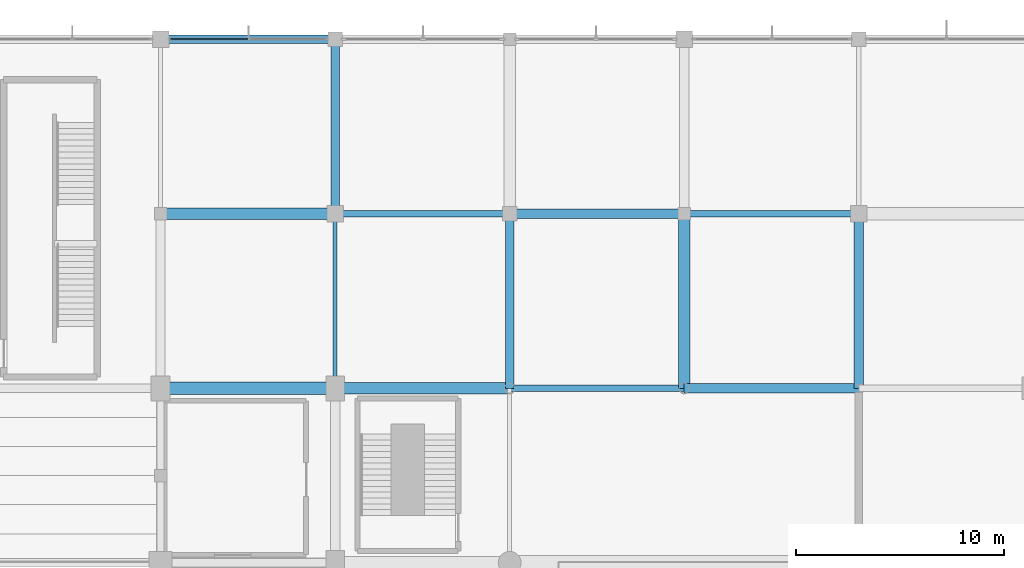
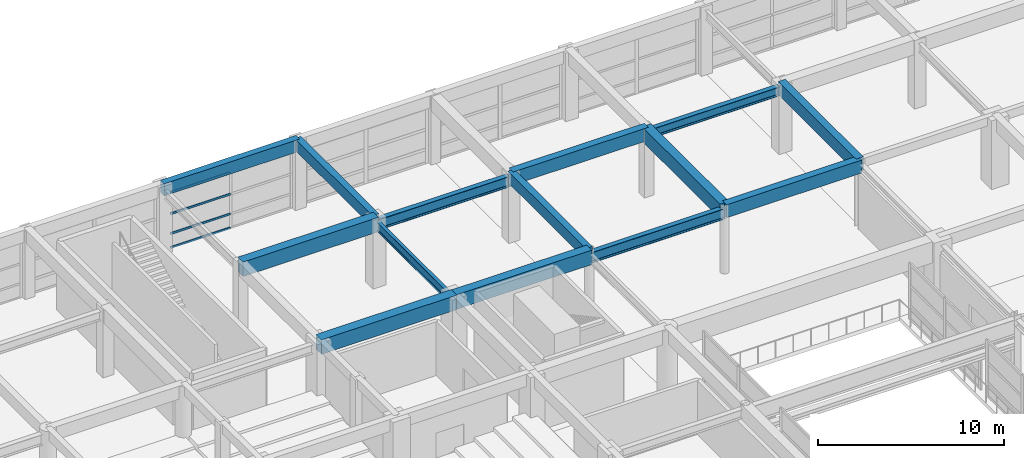
# One storey, part 31 of 62: 14 beams, 4 members, 1 element without a shape of its own.
"""IFC4 building model written with IfcOpenShell, lengths in metres."""

from ifc_helpers import new_model, si_unit, direction, frame, origin, origin_2d, place, context, subcontext, project, spatial, rectangle, i_section, extrude, material, material_profile, profile_set, type_object, element, aggregate, save


model = new_model("IFC4")

# Units and contexts
model_context = context("Model", 3, precision=1e-05, world=origin(), true_north=direction((0.0, 1.0)))
body_context = subcontext(model_context, "Body", "Model", "MODEL_VIEW")
ifc_project = project(units=[si_unit("LENGTHUNIT", "METRE"), si_unit("AREAUNIT", "SQUARE_METRE"), si_unit("VOLUMEUNIT", "CUBIC_METRE"), si_unit("PLANEANGLEUNIT", "RADIAN"), si_unit("MASSUNIT", "GRAM", prefix="KILO")], contexts=[model_context])

# Site, building, storey
site_placement = place(None, origin())
site = spatial("IfcSite", under=ifc_project, at=site_placement, CompositionType="ELEMENT")
building_placement = place(site_placement, origin())
building = spatial("IfcBuilding", under=site, at=building_placement, Name="Xuanlan Plaza Opera House", CompositionType="ELEMENT")
storey_placement = place(building_placement, frame((0.0, 0.0, 14.39990234375)))
storey = spatial("IfcBuildingStorey", under=building, at=storey_placement, Name="L03", CompositionType="ELEMENT", Elevation=14.39990234375)

# Curtain wall, members
ifc_material_1 = material(Name="Anodised Aluminium 6063-T6 and Low-E Glass", Category="aluminium")
curtain_wall_type = type_object("IfcCurtainWallType", Name="ENV-CW-CW-05", PredefinedType="USERDEFINED", material=ifc_material_1)
curtain_wall_placement = place(storey_placement, origin())
curtain_wall = element("IfcCurtainWall", 1, at=curtain_wall_placement, inside=storey, type_object=curtain_wall_type, Name="Acoustic Glazed Wall L03-036", ObjectType="ACOUSTIC GLAZED WALL", PredefinedType="USERDEFINED")
ifc_material_2 = material(Name="Anodised Aluminium 6063-T6", Category="aluminium")
ifc_material_profile_1 = material_profile(ifc_material_2, rectangle(XDim=0.070068359375, YDim=0.135009765625, at=origin_2d()), Name="ALU-T 70x135")
ifc_profile_set_1 = profile_set([ifc_material_profile_1], Name="Anodised Aluminium 6063-T6")
member_type = type_object("IfcMemberType", Name="ENV-CWT-02", PredefinedType="USERDEFINED", material=ifc_profile_set_1)
member_1_placement = place(storey_placement, frame((96.592529296875, 100.800048828125, 0.03515625), z_axis=(-1.0, 0.0, 0.0), x_axis=(0.0, -1.0, 0.0)))
member_1 = element("IfcMember", 2, at=member_1_placement, type_object=member_type, Name="CW-05 transom 2.1", ObjectType="TRANSOM", PredefinedType="USERDEFINED", context=body_context, shape_type="SweptSolid", body=[
    extrude(rectangle(XDim=0.070068359375, YDim=0.135009765625, at=origin_2d()), origin(), (0.0, 0.0, 1.0), 3.70751953125),
])
member_2_placement = place(storey_placement, frame((96.592529296875, 100.800048828125, 0.9501953125), z_axis=(-1.0, 0.0, 0.0), x_axis=(0.0, -1.0, 0.0)))
member_2 = element("IfcMember", 3, at=member_2_placement, type_object=member_type, Name="CW-05 transom 2.2", ObjectType="TRANSOM", PredefinedType="USERDEFINED", context=body_context, shape_type="SweptSolid", body=[
    extrude(rectangle(XDim=0.070068359375, YDim=0.135009765625, at=origin_2d()), origin(), (0.0, 0.0, 1.0), 3.70751953125),
])
member_3_placement = place(storey_placement, frame((96.592529296875, 100.800048828125, 2.25), z_axis=(-1.0, 0.0, 0.0), x_axis=(0.0, -1.0, 0.0)))
member_3 = element("IfcMember", 4, at=member_3_placement, type_object=member_type, Name="CW-05 transom 2.3", ObjectType="TRANSOM", PredefinedType="USERDEFINED", context=body_context, shape_type="SweptSolid", body=[
    extrude(rectangle(XDim=0.070068359375, YDim=0.135009765625, at=origin_2d()), origin(), (0.0, 0.0, 1.0), 3.70751953125),
])
member_4_placement = place(storey_placement, frame((96.592529296875, 100.800048828125, 3.64501953125), z_axis=(-1.0, 0.0, 0.0), x_axis=(0.0, -1.0, 0.0)))
member_4 = element("IfcMember", 5, at=member_4_placement, type_object=member_type, Name="CW-05 transom 2.4", ObjectType="TRANSOM", PredefinedType="USERDEFINED", context=body_context, shape_type="SweptSolid", body=[
    extrude(rectangle(XDim=0.070068359375, YDim=0.135009765625, at=origin_2d()), origin(), (0.0, 0.0, 1.0), 3.70751953125),
])
aggregate(curtain_wall, [member_1, member_2, member_3, member_4])

# Beams
ifc_material_3 = material(Name="Concrete C50", Category="concrete")
ifc_material_profile_2 = material_profile(ifc_material_3, rectangle(XDim=0.60009765625, YDim=0.949951171875, at=origin_2d()), Name="RC-BM 600x950")
ifc_profile_set_2 = profile_set([ifc_material_profile_2], Name="Concrete C50")
beam_type_1 = type_object("IfcBeamType", Name="STR-BM-B-01", PredefinedType="BEAM", material=ifc_profile_set_2)
beam_1_placement = place(storey_placement, frame((92.39990234375, 84.0, 4.025146484375), z_axis=(1.0, 0.0, 0.0), x_axis=(0.0, 1.0, 0.0)))
element("IfcBeam", 6, at=beam_1_placement, inside=storey, type_object=beam_type_1, Name="Grid Beam X L03 12-13/K", PredefinedType="BEAM", context=body_context, shape_type="SweptSolid", body=[
    extrude(rectangle(XDim=0.60009765625, YDim=0.949951171875, at=origin_2d()), origin(), (0.0, 0.0, 1.0), 8.400146484375),
])
ifc_material_profile_3 = material_profile(ifc_material_3, rectangle(XDim=0.550048828125, YDim=0.949951171875, at=origin_2d()), Name="RC-BM 550x950")
ifc_profile_set_3 = profile_set([ifc_material_profile_3], Name="Concrete C50")
beam_type_2 = type_object("IfcBeamType", Name="STR-BM-B-02", PredefinedType="BEAM", material=ifc_profile_set_3)
beam_2_placement = place(storey_placement, frame((100.800048828125, 84.0, 4.025146484375), z_axis=(1.0, 0.0, 0.0), x_axis=(0.0, 1.0, 0.0)))
element("IfcBeam", 7, at=beam_2_placement, inside=storey, type_object=beam_type_2, Name="Grid Beam X L03 13-14/K", PredefinedType="BEAM", context=body_context, shape_type="SweptSolid", body=[
    extrude(rectangle(XDim=0.550048828125, YDim=0.949951171875, at=origin_2d()), origin(), (0.0, 0.0, 1.0), 8.39990234375),
])
beam_3_placement = place(storey_placement, frame((92.39990234375, 92.39990234375, 4.025146484375), z_axis=(1.0, 0.0, 0.0), x_axis=(0.0, 1.0, 0.0)))
element("IfcBeam", 8, at=beam_3_placement, inside=storey, type_object=beam_type_2, Name="Grid Beam X L03 12-13/L", PredefinedType="BEAM", context=body_context, shape_type="SweptSolid", body=[
    extrude(rectangle(XDim=0.550048828125, YDim=0.949951171875, at=origin_2d()), origin(), (0.0, 0.0, 1.0), 8.400146484375),
])
beam_4_placement = place(storey_placement, frame((117.60009765625, 84.0, 4.025146484375), z_axis=(0.0, 1.0, 0.0), x_axis=(-1.0, 0.0, 0.0)))
element("IfcBeam", 9, at=beam_4_placement, inside=storey, type_object=beam_type_2, Name="Grid Beam Y L03 15/K-L", PredefinedType="BEAM", context=body_context, shape_type="SweptSolid", body=[
    extrude(rectangle(XDim=0.550048828125, YDim=0.949951171875, at=origin_2d()), origin(), (0.0, 0.0, 1.0), 8.39990234375),
])
ifc_material_4 = material(Name="Concrete C40", Category="concrete")
ifc_material_profile_4 = material_profile(ifc_material_4, rectangle(XDim=0.449951171875, YDim=0.85009765625, at=origin_2d()), Name="RC-BM 450x850")
ifc_profile_set_4 = profile_set([ifc_material_profile_4], Name="Concrete C40")
beam_type_3 = type_object("IfcBeamType", Name="STR-BM-B-04", PredefinedType="BEAM", material=ifc_profile_set_4)
beam_5_placement = place(storey_placement, frame((117.60009765625, 84.0, 4.0751953125), z_axis=(1.0, 0.0, 0.0), x_axis=(0.0, 1.0, 0.0)))
element("IfcBeam", 10, at=beam_5_placement, inside=storey, type_object=beam_type_3, Name="Grid Beam X L03 15-16/K", PredefinedType="BEAM", context=body_context, shape_type="SweptSolid", body=[
    extrude(rectangle(XDim=0.449951171875, YDim=0.85009765625, at=origin_2d()), origin(), (0.0, 0.0, 1.0), 8.39990234375),
])
beam_6_placement = place(storey_placement, frame((109.199951171875, 92.39990234375, 4.0751953125), z_axis=(1.0, 0.0, 0.0), x_axis=(0.0, 1.0, 0.0)))
element("IfcBeam", 11, at=beam_6_placement, inside=storey, type_object=beam_type_3, Name="Grid Beam X L03 14-15/L", PredefinedType="BEAM", context=body_context, shape_type="SweptSolid", body=[
    extrude(rectangle(XDim=0.449951171875, YDim=0.85009765625, at=origin_2d()), origin(), (0.0, 0.0, 1.0), 8.400146484375),
])
beam_7_placement = place(storey_placement, frame((126.0, 84.0, 4.0751953125), z_axis=(0.0, 1.0, 0.0), x_axis=(-1.0, 0.0, 0.0)))
element("IfcBeam", 12, at=beam_7_placement, inside=storey, type_object=beam_type_3, Name="Grid Beam Y L03 16/K-L", PredefinedType="BEAM", context=body_context, shape_type="SweptSolid", body=[
    extrude(rectangle(XDim=0.449951171875, YDim=0.85009765625, at=origin_2d()), origin(), (0.0, 0.0, 1.0), 8.39990234375),
])
ifc_material_profile_5 = material_profile(ifc_material_4, rectangle(XDim=0.39990234375, YDim=0.75, at=origin_2d()), Name="RC-BM 400x750")
ifc_profile_set_5 = profile_set([ifc_material_profile_5], Name="Concrete C40")
beam_type_4 = type_object("IfcBeamType", Name="STR-BM-B-06", PredefinedType="BEAM", material=ifc_profile_set_5)
beam_8_placement = place(storey_placement, frame((100.800048828125, 92.39990234375, 4.125), z_axis=(0.0, 1.0, 0.0), x_axis=(-1.0, 0.0, 0.0)))
element("IfcBeam", 13, at=beam_8_placement, inside=storey, type_object=beam_type_4, Name="Grid Beam Y L03 13/L-M", PredefinedType="BEAM", context=body_context, shape_type="SweptSolid", body=[
    extrude(rectangle(XDim=0.39990234375, YDim=0.75, at=origin_2d()), origin(), (0.0, 0.0, 1.0), 8.400146484375),
])
beam_9_placement = place(storey_placement, frame((109.199951171875, 84.0, 4.125), z_axis=(0.0, 1.0, 0.0), x_axis=(-1.0, 0.0, 0.0)))
element("IfcBeam", 14, at=beam_9_placement, inside=storey, type_object=beam_type_4, Name="Grid Beam Y L03 14/K-L", PredefinedType="BEAM", context=body_context, shape_type="SweptSolid", body=[
    extrude(rectangle(XDim=0.39990234375, YDim=0.75, at=origin_2d()), origin(), (0.0, 0.0, 1.0), 8.39990234375),
])
ifc_material_5 = material(Name="Steel Q355B", Category="steel")
ifc_material_profile_6 = material_profile(ifc_material_5, i_section(OverallWidth=0.300048828125, OverallDepth=0.699951171875, WebThickness=0.012939453125, FlangeThickness=0.02392578125, FilletRadius=0.02392578125, at=origin_2d()), Name="HN 700x300x13x24")
ifc_profile_set_6 = profile_set([ifc_material_profile_6], Name="Steel Q355B")
beam_type_5 = type_object("IfcBeamType", Name="STR-BM-SB-03", PredefinedType="BEAM", material=ifc_profile_set_6)
beam_10_placement = place(storey_placement, frame((109.199951171875, 84.0, 3.885009765625), z_axis=(1.0, 0.0, 0.0), x_axis=(0.0, 1.0, 0.0)))
element("IfcBeam", 15, at=beam_10_placement, inside=storey, type_object=beam_type_5, Name="Grid Beam X L03 14-15/K", PredefinedType="BEAM", context=body_context, shape_type="SweptSolid", body=[
    extrude(i_section(OverallWidth=0.300048828125, OverallDepth=0.699951171875, WebThickness=0.012939453125, FlangeThickness=0.02392578125, FilletRadius=0.02392578125, at=origin_2d()), origin(), (0.0, 0.0, 1.0), 8.400146484375),
])
beam_11_placement = place(storey_placement, frame((100.800048828125, 92.39990234375, 3.885009765625), z_axis=(1.0, 0.0, 0.0), x_axis=(0.0, 1.0, 0.0)))
element("IfcBeam", 16, at=beam_11_placement, inside=storey, type_object=beam_type_5, Name="Grid Beam X L03 13-14/L", PredefinedType="BEAM", context=body_context, shape_type="SweptSolid", body=[
    extrude(i_section(OverallWidth=0.300048828125, OverallDepth=0.699951171875, WebThickness=0.012939453125, FlangeThickness=0.02392578125, FilletRadius=0.02392578125, at=origin_2d()), origin(), (0.0, 0.0, 1.0), 8.39990234375),
])
ifc_material_profile_7 = material_profile(ifc_material_5, i_section(OverallWidth=0.199951171875, OverallDepth=0.60009765625, WebThickness=0.010986328125, FlangeThickness=0.01708984375, FilletRadius=0.02197265625, at=origin_2d()), Name="HN 600x200x11x17")
ifc_profile_set_7 = profile_set([ifc_material_profile_7], Name="Steel Q355B")
beam_type_6 = type_object("IfcBeamType", Name="STR-BM-SB-04", PredefinedType="BEAM", material=ifc_profile_set_7)
beam_12_placement = place(storey_placement, frame((100.800048828125, 84.0, 3.93505859375), z_axis=(0.0, 1.0, 0.0), x_axis=(-1.0, 0.0, 0.0)))
element("IfcBeam", 17, at=beam_12_placement, inside=storey, type_object=beam_type_6, Name="Grid Beam Y L03 13/K-L", PredefinedType="BEAM", context=body_context, shape_type="SweptSolid", body=[
    extrude(i_section(OverallWidth=0.199951171875, OverallDepth=0.60009765625, WebThickness=0.010986328125, FlangeThickness=0.01708984375, FilletRadius=0.02197265625, at=origin_2d()), origin(), (0.0, 0.0, 1.0), 8.39990234375),
])
ifc_material_profile_8 = material_profile(ifc_material_5, i_section(OverallWidth=0.300048828125, OverallDepth=0.587890625, WebThickness=0.011962890625, FlangeThickness=0.02001953125, FilletRadius=0.02392578125, at=origin_2d()), Name="HM 588x300x12x20")
ifc_profile_set_8 = profile_set([ifc_material_profile_8], Name="Steel Q355B")
beam_type_7 = type_object("IfcBeamType", Name="STR-BM-SB-06", PredefinedType="BEAM", material=ifc_profile_set_8)
beam_13_placement = place(storey_placement, frame((117.60009765625, 92.39990234375, 3.941162109375), z_axis=(1.0, 0.0, 0.0), x_axis=(0.0, 1.0, 0.0)))
element("IfcBeam", 18, at=beam_13_placement, inside=storey, type_object=beam_type_7, Name="Grid Beam X L03 15-16/L", PredefinedType="BEAM", context=body_context, shape_type="SweptSolid", body=[
    extrude(i_section(OverallWidth=0.300048828125, OverallDepth=0.587890625, WebThickness=0.011962890625, FlangeThickness=0.02001953125, FilletRadius=0.02392578125, at=origin_2d()), origin(), (0.0, 0.0, 1.0), 8.39990234375),
])
ifc_material_profile_9 = material_profile(ifc_material_4, rectangle(XDim=0.39990234375, YDim=0.800048828125, at=origin_2d()), Name="RC-SPD 400x800")
ifc_profile_set_9 = profile_set([ifc_material_profile_9], Name="Concrete C40")
beam_type_8 = type_object("IfcBeamType", Name="STR-BM-SP-01", PredefinedType="SPANDREL", material=ifc_profile_set_9)
beam_14_placement = place(storey_placement, frame((92.39990234375, 100.800048828125, 4.10009765625), z_axis=(1.0, 0.0, 0.0), x_axis=(0.0, 1.0, 0.0)))
element("IfcBeam", 19, at=beam_14_placement, inside=storey, type_object=beam_type_8, Name="Grid Beam X L03 12-13/M", PredefinedType="SPANDREL", context=body_context, shape_type="SweptSolid", body=[
    extrude(rectangle(XDim=0.39990234375, YDim=0.800048828125, at=origin_2d()), origin(), (0.0, 0.0, 1.0), 8.400146484375),
])

save(model, "model.ifc")
